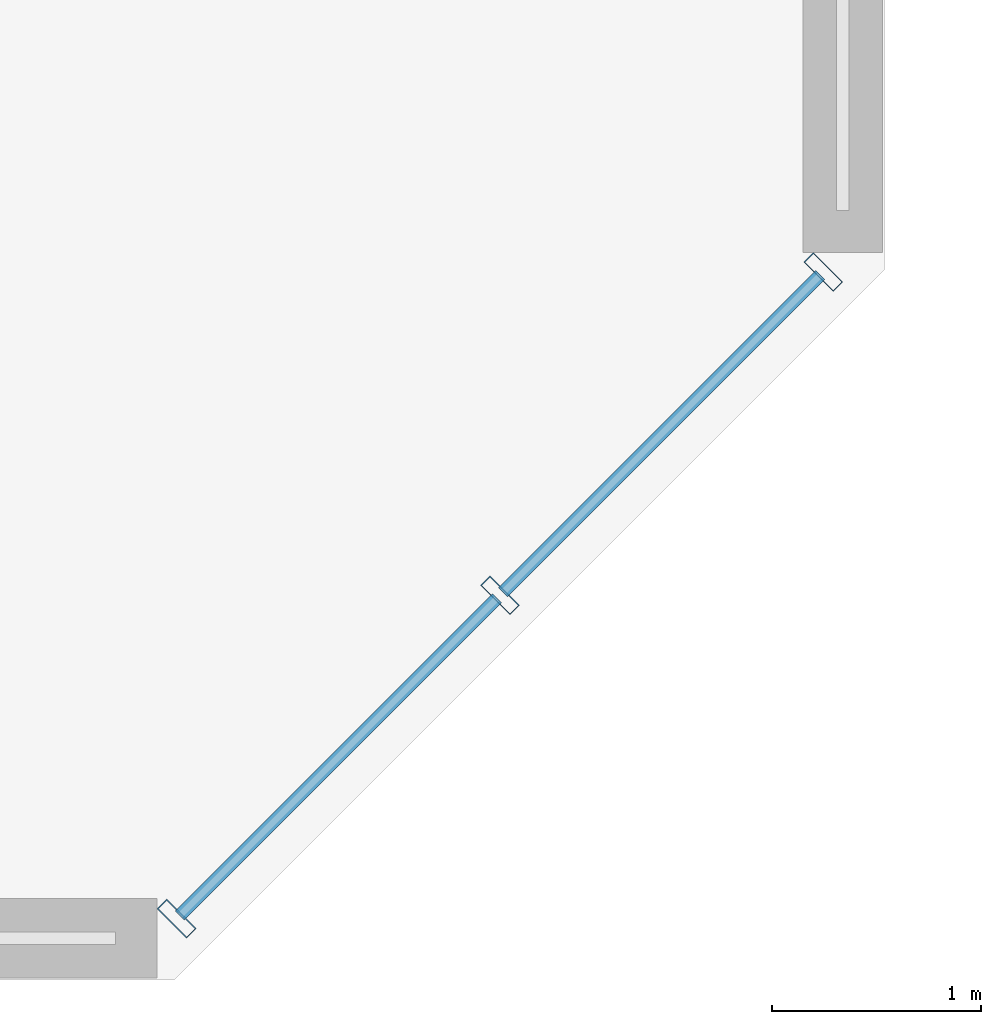
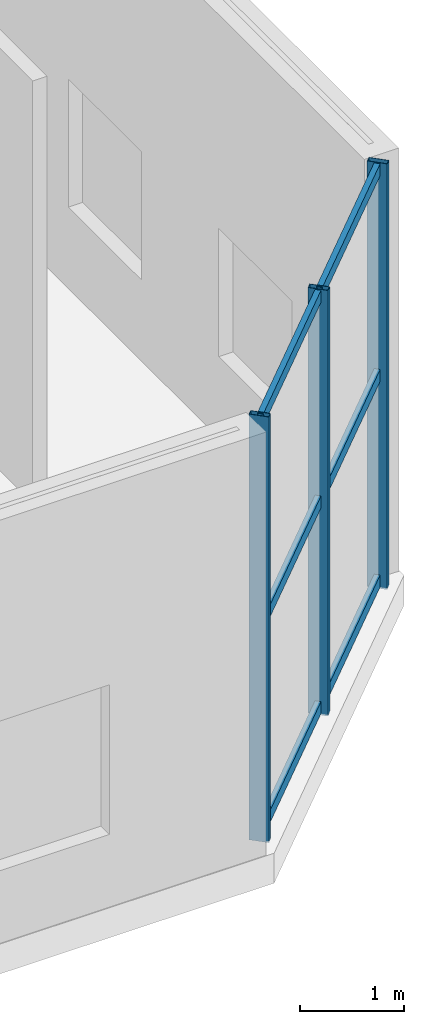
# One storey, part 6 of 23: 9 members, 1 element without a shape of its own.
"""IFC4 building model written with IfcOpenShell, lengths in metres."""

from ifc_helpers import new_model, si_unit, direction, frame, origin, origin_2d, place, context, subcontext, project, spatial, hollow_rectangle, extrude, source, transform, mapped, material, material_profile, profile_set, type_object, element, aggregate, save


model = new_model("IFC4")

# Units and contexts
model_context = context("Model", 3, precision=1e-05, world=origin(), true_north=direction((0.0, 1.0)))
body_context = subcontext(model_context, "Body", "Model", "MODEL_VIEW")
ifc_project = project(units=[si_unit("LENGTHUNIT", "METRE"), si_unit("AREAUNIT", "SQUARE_METRE"), si_unit("VOLUMEUNIT", "CUBIC_METRE"), si_unit("PLANEANGLEUNIT", "RADIAN"), si_unit("MASSUNIT", "GRAM", prefix="KILO")], contexts=[model_context])

# Site, building, storey
site_placement = place(None, origin())
site = spatial("IfcSite", under=ifc_project, at=site_placement, CompositionType="ELEMENT")
building_placement = place(site_placement, origin())
building = spatial("IfcBuilding", under=site, at=building_placement, Name="Tlacorven Tower", CompositionType="ELEMENT")
storey_placement = place(building_placement, frame((0.0, 0.0, 18.60009765625)))
storey = spatial("IfcBuildingStorey", under=building, at=storey_placement, Name="L04", CompositionType="ELEMENT", Elevation=18.60009765625)

# Curtain wall, members
ifc_material_1 = material(Name="Dark solar low-E double glazing in aluminium frame", Category="aluminium")
curtain_wall_type = type_object("IfcCurtainWallType", Name="CW-POD-CLINIC", PredefinedType="USERDEFINED", material=ifc_material_1)
curtain_wall_placement = place(storey_placement, origin())
curtain_wall = element("IfcCurtainWall", 1, at=curtain_wall_placement, inside=storey, type_object=curtain_wall_type, Name="L04 Podium Chamfer Curtain Wall 7", ObjectType="UNITISED CURTAIN WALL", PredefinedType="USERDEFINED")
ifc_material_2 = material(Name="Aluminium 6063-T6 anodised", Category="aluminium")
ifc_material_profile_1 = material_profile(ifc_material_2, hollow_rectangle(XDim=0.06005859375, YDim=0.139892578125, WallThickness=0.00390625, at=origin_2d()), Name="ALU TRANSOM 60X140")
ifc_profile_set_1 = profile_set([ifc_material_profile_1], Name="Aluminium 6063-T6 anodised")
member_type_1 = type_object("IfcMemberType", Name="CWT-02", PredefinedType="USERDEFINED", material=ifc_profile_set_1)
shared_shape_1 = source(origin(), body_context, "Body", "SweptSolid", [
    extrude(hollow_rectangle(XDim=0.06005859375, YDim=0.139892578125, WallThickness=0.00390625, at=origin_2d()), origin(), (0.0, 0.0, 1.0), 2.14794921875),
])
member_1_placement = place(storey_placement, frame((70.291748046875, 4.774658203125, 0.06982421875), z_axis=(-0.707106781187, -0.707106781187, 0.0), x_axis=(0.707106781187, -0.707106781187, 0.0)))
member_1 = element("IfcMember", 2, at=member_1_placement, type_object=member_type_1, Name="CW-L04-020 Transom 1", ObjectType="TRANSOM", PredefinedType="USERDEFINED", context=body_context, shape_type="MappedRepresentation", body=[
    mapped(shared_shape_1, transform((0.0, 0.0, 0.0), scale=1.0)),
])
member_2_placement = place(storey_placement, frame((70.291748046875, 4.774658203125, 2.474853515625), z_axis=(-0.707106781187, -0.707106781187, 0.0), x_axis=(0.707106781187, -0.707106781187, 0.0)))
member_2 = element("IfcMember", 3, at=member_2_placement, type_object=member_type_1, Name="CW-L04-020 Transom 2", ObjectType="TRANSOM", PredefinedType="USERDEFINED", context=body_context, shape_type="MappedRepresentation", body=[
    mapped(shared_shape_1, transform((0.0, 0.0, 0.0), scale=1.0)),
])
member_3_placement = place(storey_placement, frame((70.291748046875, 4.774658203125, 4.8798828125), z_axis=(-0.707106781187, -0.707106781187, 0.0), x_axis=(0.707106781187, -0.707106781187, 0.0)))
member_3 = element("IfcMember", 4, at=member_3_placement, type_object=member_type_1, Name="CW-L04-020 Transom 3", ObjectType="TRANSOM", PredefinedType="USERDEFINED", context=body_context, shape_type="MappedRepresentation", body=[
    mapped(shared_shape_1, transform((0.0, 0.0, 0.0), scale=1.0)),
])
member_4_placement = place(storey_placement, frame((68.744140625, 3.22705078125, 0.06982421875), z_axis=(-0.707106781187, -0.707106781187, 0.0), x_axis=(0.707106781187, -0.707106781187, 0.0)))
member_4 = element("IfcMember", 5, at=member_4_placement, type_object=member_type_1, Name="CW-L04-020 Transom 4", ObjectType="TRANSOM", PredefinedType="USERDEFINED", context=body_context, shape_type="MappedRepresentation", body=[
    mapped(shared_shape_1, transform((0.0, 0.0, 0.0), scale=1.0)),
])
member_5_placement = place(storey_placement, frame((68.744140625, 3.22705078125, 2.474853515625), z_axis=(-0.707106781187, -0.707106781187, 0.0), x_axis=(0.707106781187, -0.707106781187, 0.0)))
member_5 = element("IfcMember", 6, at=member_5_placement, type_object=member_type_1, Name="CW-L04-020 Transom 5", ObjectType="TRANSOM", PredefinedType="USERDEFINED", context=body_context, shape_type="MappedRepresentation", body=[
    mapped(shared_shape_1, transform((0.0, 0.0, 0.0), scale=1.0)),
])
member_6_placement = place(storey_placement, frame((68.744140625, 3.22705078125, 4.8798828125), z_axis=(-0.707106781187, -0.707106781187, 0.0), x_axis=(0.707106781187, -0.707106781187, 0.0)))
member_6 = element("IfcMember", 7, at=member_6_placement, type_object=member_type_1, Name="CW-L04-020 Transom 6", ObjectType="TRANSOM", PredefinedType="USERDEFINED", context=body_context, shape_type="MappedRepresentation", body=[
    mapped(shared_shape_1, transform((0.0, 0.0, 0.0), scale=1.0)),
])
ifc_material_profile_2 = material_profile(ifc_material_2, hollow_rectangle(XDim=0.06494140625, YDim=0.199951171875, WallThickness=0.00439453125, at=origin_2d()), Name="ALU MULLION 65X200")
ifc_profile_set_2 = profile_set([ifc_material_profile_2], Name="Aluminium 6063-T6 anodised")
member_type_2 = type_object("IfcMemberType", Name="CWM-02", PredefinedType="MULLION", material=ifc_profile_set_2)
shared_shape_2 = source(origin(), body_context, "Body", "SweptSolid", [
    extrude(hollow_rectangle(XDim=0.06494140625, YDim=0.199951171875, WallThickness=0.00439453125, at=origin_2d()), origin(), (0.0, 0.0, 1.0), 4.97998046875),
])
member_7_placement = place(storey_placement, frame((70.306396484375, 4.7890625, -0.02001953125), z_axis=(0.0, 0.0, 1.0), x_axis=(-0.707106781187, -0.707106781187, 0.0)))
member_7 = element("IfcMember", 8, at=member_7_placement, type_object=member_type_2, Name="CW-L04-020 Mullion 1", PredefinedType="MULLION", context=body_context, shape_type="MappedRepresentation", body=[
    mapped(shared_shape_2, transform((0.0, 0.0, 0.0), scale=1.0)),
])
member_8_placement = place(storey_placement, frame((68.758544921875, 3.241455078125, -0.02001953125), z_axis=(0.0, 0.0, 1.0), x_axis=(-0.707106781187, -0.707106781187, 0.0)))
member_8 = element("IfcMember", 9, at=member_8_placement, type_object=member_type_2, Name="CW-L04-020 Mullion 2", PredefinedType="MULLION", context=body_context, shape_type="MappedRepresentation", body=[
    mapped(shared_shape_2, transform((0.0, 0.0, 0.0), scale=1.0)),
])
member_9_placement = place(storey_placement, frame((67.2109375, 1.693603515625, -0.02001953125), z_axis=(0.0, 0.0, 1.0), x_axis=(-0.707106781187, -0.707106781187, 0.0)))
member_9 = element("IfcMember", 10, at=member_9_placement, type_object=member_type_2, Name="CW-L04-020 Mullion 3", PredefinedType="MULLION", context=body_context, shape_type="MappedRepresentation", body=[
    mapped(shared_shape_2, transform((0.0, 0.0, 0.0), scale=1.0)),
])
aggregate(curtain_wall, [member_7, member_8, member_9, member_1, member_2, member_3, member_4, member_5, member_6])

save(model, "model.ifc")
